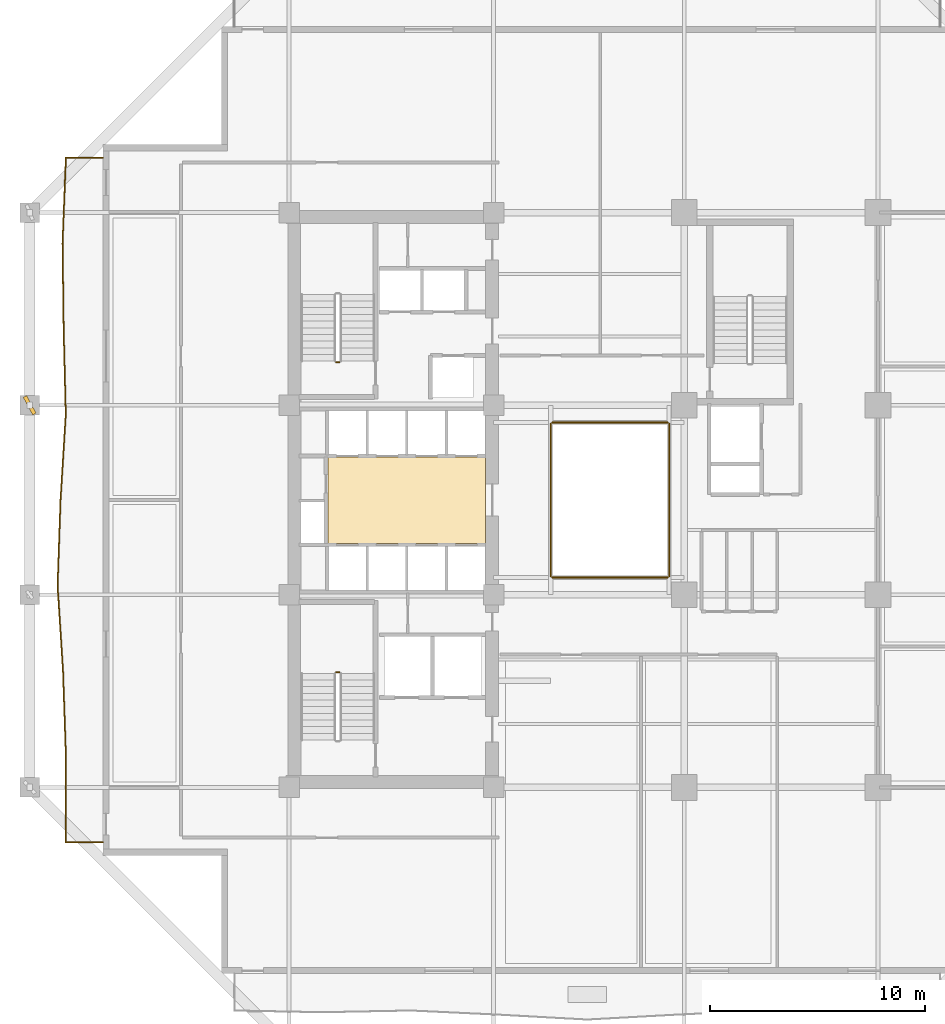
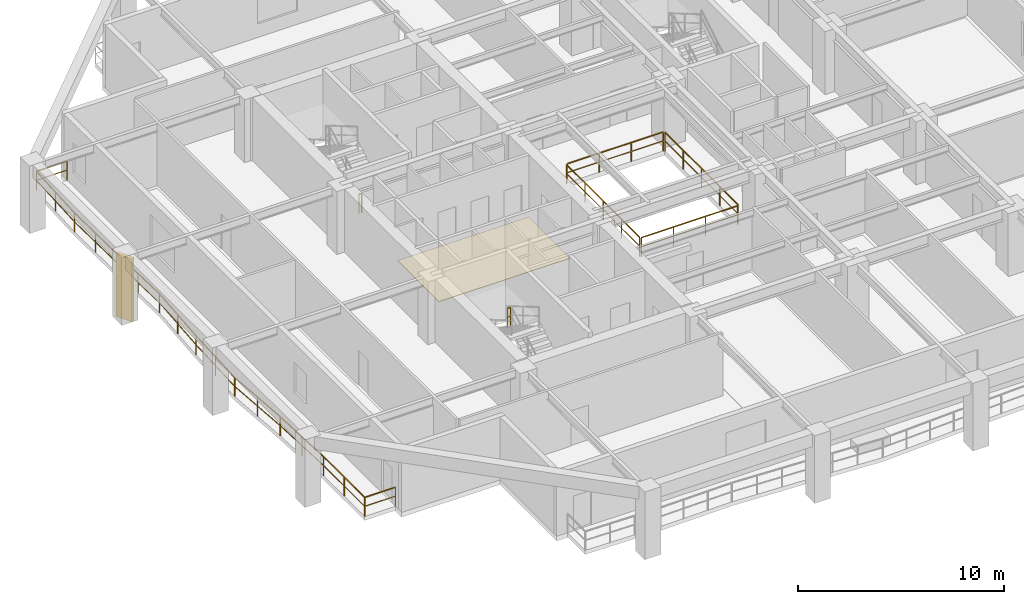
# One storey, part 8 of 12: 7 railings, 1 covering, 1 shading device.
"""IFC4 building model written with IfcOpenShell, lengths in metres."""

import ifcopenshell
import ifcopenshell.guid

model = None  # the IFC model being written
_history = None  # IfcOwnerHistory: only IFC2X3 demands one
_inside = {}  # id of a spatial element -> (the spatial element, [elements in it])
_under = {}  # id of a project, library or spatial element -> (it, [spatial elements below it])
_declared = {}  # id of a project -> (the project, [libraries it declares])
_typed = {}  # id of a type object -> (the type object, [elements of that type])
_made_of = {}  # id of a material, layer set ... -> (it, [elements and type objects made of it])


def new_model(schema):
    """Start an empty IFC model of exactly this schema.

    Asked for "IFC4X3", IfcOpenShell would pick the latest addendum, in which some entities
    have other attributes; the version numbers below select the first issue.
    IFC2X3 requires an IfcOwnerHistory on every rooted entity: one is made here for all.
    """
    global model, _history
    if schema == "IFC4X3":
        model = ifcopenshell.file(schema_version=(4, 3, 0, 0))
    else:
        model = ifcopenshell.file(schema=schema)
    _inside.clear()
    _under.clear()
    _declared.clear()
    _typed.clear()
    _made_of.clear()
    _history = None
    if model.schema == "IFC2X3":
        org = make("IfcOrganization", Name="unknown")
        user = make(
            "IfcPersonAndOrganization",
            ThePerson=make("IfcPerson", FamilyName="unknown"),
            TheOrganization=org,
        )
        app = make(
            "IfcApplication",
            ApplicationDeveloper=org,
            Version="unknown",
            ApplicationFullName="unknown",
            ApplicationIdentifier="unknown",
        )
        _history = make(
            "IfcOwnerHistory",
            OwningUser=user,
            OwningApplication=app,
            ChangeAction="ADDED",
            CreationDate=0,
        )
    return model


def make(cls, **values):
    """One entity of the class cls with the attributes given. An attribute that is None is left unset."""
    return model.create_entity(
        cls, **{name: value for name, value in values.items() if value is not None}
    )


def rooted(cls, **values):
    """An entity with a GlobalId (a new one), such as an element, a storey or a relation."""
    return make(cls, GlobalId=ifcopenshell.guid.new(), OwnerHistory=_history, **values)


def si_unit(unit_type, name, prefix=None):
    """IfcSIUnit, for example si_unit("LENGTHUNIT", "METRE", prefix="MILLI")."""
    return make("IfcSIUnit", UnitType=unit_type, Prefix=prefix, Name=name)


def assignment(units):
    """IfcUnitAssignment: the units of a project."""
    return None if units is None else make("IfcUnitAssignment", Units=units)


def point(xyz):
    """IfcCartesianPoint."""
    return None if xyz is None else make("IfcCartesianPoint", Coordinates=xyz)


def direction(xyz):
    """IfcDirection."""
    return None if xyz is None else make("IfcDirection", DirectionRatios=xyz)


def frame(location, z_axis=None, x_axis=None):
    """IfcAxis2Placement3D, a coordinate frame: its origin and axes. An axis left out is left unset."""
    return make(
        "IfcAxis2Placement3D",
        Location=point(location),
        Axis=direction(z_axis),
        RefDirection=direction(x_axis),
    )


def frame_2d(location, x_axis=None):
    """IfcAxis2Placement2D, a coordinate frame in the plane: its origin and x axis."""
    return make(
        "IfcAxis2Placement2D", Location=point(location), RefDirection=direction(x_axis)
    )


def origin():
    """The frame at (0, 0, 0) with its axes left unset."""
    return frame((0.0, 0.0, 0.0))


def origin_2d():
    """The frame at (0, 0) in the plane with its x axis left unset."""
    return frame_2d((0.0, 0.0))


def place(relative_to, where):
    """IfcLocalPlacement: puts the frame where relative to a parent placement (None: the world)."""
    return make(
        "IfcLocalPlacement", PlacementRelTo=relative_to, RelativePlacement=where
    )


def context(
    kind, dimensions, precision=None, world=None, true_north=None, identifier=None
):
    """IfcGeometricRepresentationContext, for example the 3D "Model" context."""
    return make(
        "IfcGeometricRepresentationContext",
        ContextIdentifier=identifier,
        ContextType=kind,
        CoordinateSpaceDimension=dimensions,
        Precision=precision,
        WorldCoordinateSystem=world,
        TrueNorth=true_north,
    )


def subcontext(parent, identifier, kind, view, scale=None):
    """IfcGeometricRepresentationSubContext, for example "Body" below "Model"."""
    return make(
        "IfcGeometricRepresentationSubContext",
        ContextIdentifier=identifier,
        ContextType=kind,
        ParentContext=parent,
        TargetScale=scale,
        TargetView=view,
    )


def project(units=None, contexts=None):
    """IfcProject with its units and contexts."""
    return rooted(
        "IfcProject",
        Name="project",
        RepresentationContexts=contexts,
        UnitsInContext=assignment(units),
    )


def spatial(cls, under=None, at=None, **own):
    """A site, building, storey or space (cls), placed at a placement, below another one or the project."""
    s = rooted(cls, ObjectPlacement=at, **own)
    if under is not None:
        _under.setdefault(under.id(), (under, []))[1].append(s)
    return s


def polyline(points):
    """IfcPolyline through the points."""
    return make("IfcPolyline", Points=[point(p) for p in points])


def profile(cls, at=None, kind="AREA", **sizes):
    """A parametric profile (cls). Its sizes go by their IFC names, for example OverallWidth=200.0."""
    return make(cls, ProfileType=kind, Position=at, **sizes)


def rectangle(**sizes):
    """IfcRectangleProfileDef."""
    return profile("IfcRectangleProfileDef", **sizes)


def outline(outer, holes=None, kind="AREA"):
    """IfcArbitraryClosedProfileDef: a profile drawn as a closed curve; with holes, ...WithVoids."""
    if holes is None:
        return make("IfcArbitraryClosedProfileDef", ProfileType=kind, OuterCurve=outer)
    return make(
        "IfcArbitraryProfileDefWithVoids",
        ProfileType=kind,
        OuterCurve=outer,
        InnerCurves=holes,
    )


def extrude(swept, where, along, depth):
    """IfcExtrudedAreaSolid: the profile swept, set in the frame where, extruded along a direction by depth."""
    return make(
        "IfcExtrudedAreaSolid",
        SweptArea=swept,
        Position=where,
        ExtrudedDirection=direction(along),
        Depth=depth,
    )


def shape(context_of_items, identifier, shape_type, items):
    """IfcShapeRepresentation: the items that make up one representation, for example the "Body"."""
    return make(
        "IfcShapeRepresentation",
        ContextOfItems=context_of_items,
        RepresentationIdentifier=identifier,
        RepresentationType=shape_type,
        Items=items,
    )


def material(Name=None, Category=None):
    """IfcMaterial."""
    return make("IfcMaterial", Name=Name, Category=Category)


def layer(
    of_material, thickness, ventilated=None, Name=None, Category=None, Priority=None
):
    """IfcMaterialLayer: one layer of a wall or slab, of a material (None: an air gap)."""
    return make(
        "IfcMaterialLayer",
        Material=of_material,
        LayerThickness=thickness,
        IsVentilated=ventilated,
        Name=Name,
        Category=Category,
        Priority=Priority,
    )


def layer_set(layers, Name=None):
    """IfcMaterialLayerSet."""
    return make("IfcMaterialLayerSet", MaterialLayers=layers, LayerSetName=Name)


def made_of(thing, what):
    """Note that an element or type object is made of a material, layer set ...; save() writes the relation."""
    if what is not None:
        _made_of.setdefault(what.id(), (what, []))[1].append(thing)
    return thing


def type_object(cls, material=None, **own):
    """A type object (cls), such as IfcWallType, which elements share."""
    return made_of(rooted(cls, **own), material)


def element(
    cls,
    number,
    at=None,
    inside=None,
    cuts=None,
    type_object=None,
    material=None,
    context=None,
    identifier="Body",
    shape_type=None,
    held_by="IfcProductDefinitionShape",
    body=None,
    shapes=None,
    **own,
):
    """One element of the class cls, such as IfcWall. Its Tag is "e" and its number.

    at: its placement. inside: the storey or other place that contains it. cuts: it is an
    opening in that element (IfcRelVoidsElement). A single representation is given by context,
    identifier, shape_type and body (its items); several are given by shapes. held_by: the class
    of the entity that holds the representations. save() writes the other relations.
    """
    e = rooted(cls, Tag="e%d" % number, ObjectPlacement=at, **own)
    if body is not None:
        shapes = [shape(context, identifier, shape_type, body)]
    if shapes is not None:
        e.Representation = make(held_by, Representations=shapes)
    if inside is not None:
        _inside.setdefault(inside.id(), (inside, []))[1].append(e)
    if cuts is not None:
        rooted(
            "IfcRelVoidsElement", RelatingBuildingElement=cuts, RelatedOpeningElement=e
        )
    if type_object is not None:
        _typed.setdefault(type_object.id(), (type_object, []))[1].append(e)
    return made_of(e, material)


def aggregate(whole, parts):
    """IfcRelAggregates: a whole, such as a stair, and the parts it consists of."""
    return rooted("IfcRelAggregates", RelatingObject=whole, RelatedObjects=parts)


def save(model, path):
    """Write the relations noted so far, then the file.

    IfcRelAggregates (storeys below a building ...), IfcRelContainedInSpatialStructure (elements
    in a storey), IfcRelDefinesByType, IfcRelAssociatesMaterial and IfcRelDeclares: one each for
    every whole, place, type object, material and project.
    """
    for whole, parts in _under.values():
        aggregate(whole, parts)
    for where, things in _inside.values():
        rooted(
            "IfcRelContainedInSpatialStructure",
            RelatedElements=things,
            RelatingStructure=where,
        )
    for kind, things in _typed.values():
        rooted("IfcRelDefinesByType", RelatedObjects=things, RelatingType=kind)
    for what, things in _made_of.values():
        rooted("IfcRelAssociatesMaterial", RelatedObjects=things, RelatingMaterial=what)
    for by, libraries in _declared.values():
        rooted("IfcRelDeclares", RelatingContext=by, RelatedDefinitions=libraries)
    model.write(path)


model = new_model("IFC4")

# Units and contexts
model_context = context("Model", 3, precision=1e-05, world=origin(), true_north=direction((0.0, 1.0)))
body_context = subcontext(model_context, "Body", "Model", "MODEL_VIEW")
ifc_project = project(units=[si_unit("LENGTHUNIT", "METRE"), si_unit("AREAUNIT", "SQUARE_METRE"), si_unit("VOLUMEUNIT", "CUBIC_METRE"), si_unit("PLANEANGLEUNIT", "RADIAN"), si_unit("MASSUNIT", "GRAM", prefix="KILO")], contexts=[model_context])

# Site, building, storey
site_placement = place(None, origin())
site = spatial("IfcSite", under=ifc_project, at=site_placement, CompositionType="ELEMENT")
building_placement = place(site_placement, origin())
building = spatial("IfcBuilding", under=site, at=building_placement, Name="Kundavana Baori Tower", CompositionType="ELEMENT")
storey_placement = place(building_placement, frame((0.0, 0.0, 38.0)))
storey = spatial("IfcBuildingStorey", under=building, at=storey_placement, Name="L08", CompositionType="ELEMENT", Elevation=38.0)

# Covering
ifc_material_1 = material(Name="Honed Kota Stone and Terrazzo Flooring", Category="masonry")
ifc_layer = layer(ifc_material_1, 0.030029296875, Name="COV-INT-FLR")
ifc_layer_set = layer_set([ifc_layer], Name="Honed Kota Stone and Terrazzo Flooring")
covering_type = type_object("IfcCoveringType", Name="COV-INT-FLR", PredefinedType="FLOORING", material=ifc_layer_set)
covering_placement = place(storey_placement, origin())
element("IfcCovering", 1, at=covering_placement, inside=storey, type_object=covering_type, Name="L08 Core Lift Lobby Kota Stone Flooring", PredefinedType="FLOORING", context=body_context, shape_type="SweptSolid", body=[
    extrude(outline(polyline([(17.25, 26.580078125), (24.580078125, 26.580078125), (24.580078125, 30.60009765625), (17.25, 30.60009765625), (17.25, 26.580078125)])), origin(), (0.0, 0.0, 1.0), 0.030029296875),
])

# Railings
ifc_material_2 = material(Name="Architectural Patinated Bronze Metalwork")
railing_type_1 = type_object("IfcRailingType", Name="RL-BAL-1150", PredefinedType="BALUSTRADE", material=ifc_material_2)
railing_1_placement = place(storey_placement, frame((6.800048828125, 12.699951171875, 0.0)))
element("IfcRailing", 2, at=railing_1_placement, inside=storey, type_object=railing_type_1, Name="L08 Loggia Balcony Balustrade W", PredefinedType="BALUSTRADE", context=body_context, shape_type="SweptSolid", body=[
    extrude(rectangle(XDim=0.048095703125, YDim=0.048095703125, at=origin_2d()), frame((0.0, 0.0, 1.1259765625), z_axis=(-1.0, 0.0, 0.0), x_axis=(0.0, -1.0, 0.0)), (0.0, 0.0, 1.0), 1.719970703125),
    extrude(rectangle(XDim=0.03125, YDim=0.03125, at=origin_2d()), frame((0.0, 0.0, 0.597900390625), z_axis=(-1.0, 0.0, 0.0), x_axis=(0.0, -1.0, 0.0)), (0.0, 0.0, 1.0), 1.719970703125),
    extrude(rectangle(XDim=0.048095703125, YDim=0.048095703125, at=origin_2d()), frame((-1.719970703125, 0.0, 1.1259765625), z_axis=(0.0, 1.0, 0.0), x_axis=(-1.0, 0.0, 0.0)), (0.0, 0.0, 1.0), 3.97509765625),
    extrude(rectangle(XDim=0.03125, YDim=0.03125, at=origin_2d()), frame((-1.719970703125, 0.0, 0.597900390625), z_axis=(0.0, 1.0, 0.0), x_axis=(-1.0, 0.0, 0.0)), (0.0, 0.0, 1.0), 3.97509765625),
    extrude(rectangle(XDim=0.048095703125, YDim=0.048095703125, at=origin_2d()), frame((-1.719970703125, 3.97509765625, 1.1259765625), z_axis=(-0.033701132827, 0.999431955486, 0.0), x_axis=(-0.999431955486, -0.033701132827, 0.0)), (0.0, 0.0, 1.0), 3.97705078125),
    extrude(rectangle(XDim=0.03125, YDim=0.03125, at=origin_2d()), frame((-1.719970703125, 3.97509765625, 0.597900390625), z_axis=(-0.033701132827, 0.999431955486, 0.0), x_axis=(-0.999431955486, -0.033701132827, 0.0)), (0.0, 0.0, 1.0), 3.97705078125),
    extrude(rectangle(XDim=0.048095703125, YDim=0.048095703125, at=origin_2d()), frame((-1.85400390625, 7.949951171875, 1.1259765625), z_axis=(-0.063255942289, 0.997997337554, 0.0), x_axis=(-0.997997337554, -0.063255942289, 0.0)), (0.0, 0.0, 1.0), 3.983154296875),
    extrude(rectangle(XDim=0.03125, YDim=0.03125, at=origin_2d()), frame((-1.85400390625, 7.949951171875, 0.597900390625), z_axis=(-0.063255942289, 0.997997337554, 0.0), x_axis=(-0.997997337554, -0.063255942289, 0.0)), (0.0, 0.0, 1.0), 3.983154296875),
    extrude(rectangle(XDim=0.048095703125, YDim=0.048095703125, at=origin_2d()), frame((-2.10595703125, 11.925048828125, 1.1259765625), z_axis=(0.034189556503, 0.999415366215, 0.0), x_axis=(-0.999415366215, 0.034189556503, 0.0)), (0.0, 0.0, 1.0), 3.9775390625),
    extrude(rectangle(XDim=0.03125, YDim=0.03125, at=origin_2d()), frame((-2.10595703125, 11.925048828125, 0.597900390625), z_axis=(0.034189556503, 0.999415366215, 0.0), x_axis=(-0.999415366215, 0.034189556503, 0.0)), (0.0, 0.0, 1.0), 3.9775390625),
    extrude(rectangle(XDim=0.048095703125, YDim=0.048095703125, at=origin_2d()), frame((-1.969970703125, 15.900146484375, 1.1259765625), z_axis=(0.061244681515, 0.99812278252, 0.0), x_axis=(-0.99812278252, 0.061244681515, 0.0)), (0.0, 0.0, 1.0), 3.982421875),
    extrude(rectangle(XDim=0.03125, YDim=0.03125, at=origin_2d()), frame((-1.969970703125, 15.900146484375, 0.597900390625), z_axis=(0.061244681515, 0.99812278252, 0.0), x_axis=(-0.99812278252, 0.061244681515, 0.0)), (0.0, 0.0, 1.0), 3.982421875),
    extrude(rectangle(XDim=0.048095703125, YDim=0.048095703125, at=origin_2d()), frame((-1.72607421875, 19.875, 1.1259765625), z_axis=(-0.025111842588, 0.999684647957, 0.0), x_axis=(-0.999684647957, -0.025111842588, 0.0)), (0.0, 0.0, 1.0), 3.976318359375),
    extrude(rectangle(XDim=0.03125, YDim=0.03125, at=origin_2d()), frame((-1.72607421875, 19.875, 0.597900390625), z_axis=(-0.025111842588, 0.999684647957, 0.0), x_axis=(-0.999684647957, -0.025111842588, 0.0)), (0.0, 0.0, 1.0), 3.976318359375),
    extrude(rectangle(XDim=0.048095703125, YDim=0.048095703125, at=origin_2d()), frame((-1.825927734375, 23.85009765625, 1.1259765625), z_axis=(-0.012590366153, 0.999920738199, 0.0), x_axis=(-0.999920738199, -0.012590366153, 0.0)), (0.0, 0.0, 1.0), 3.97509765625),
    extrude(rectangle(XDim=0.03125, YDim=0.03125, at=origin_2d()), frame((-1.825927734375, 23.85009765625, 0.597900390625), z_axis=(-0.012590366153, 0.999920738199, 0.0), x_axis=(-0.999920738199, -0.012590366153, 0.0)), (0.0, 0.0, 1.0), 3.97509765625),
    extrude(rectangle(XDim=0.048095703125, YDim=0.048095703125, at=origin_2d()), frame((-1.8759765625, 27.824951171875, 1.1259765625), z_axis=(0.039215603951, 0.999230772348, 0.0), x_axis=(-0.999230772348, 0.039215603951, 0.0)), (0.0, 0.0, 1.0), 3.978271484375),
    extrude(rectangle(XDim=0.03125, YDim=0.03125, at=origin_2d()), frame((-1.8759765625, 27.824951171875, 0.597900390625), z_axis=(0.039215603951, 0.999230772348, 0.0), x_axis=(-0.999230772348, 0.039215603951, 0.0)), (0.0, 0.0, 1.0), 3.978271484375),
    extrude(rectangle(XDim=0.048095703125, YDim=0.048095703125, at=origin_2d()), frame((-1.719970703125, 31.800048828125, 1.1259765625), z_axis=(1.0, 0.0, 0.0), x_axis=(0.0, 1.0, 0.0)), (0.0, 0.0, 1.0), 1.719970703125),
    extrude(rectangle(XDim=0.03125, YDim=0.03125, at=origin_2d()), frame((-1.719970703125, 31.800048828125, 0.597900390625), z_axis=(1.0, 0.0, 0.0), x_axis=(0.0, 1.0, 0.0)), (0.0, 0.0, 1.0), 1.719970703125),
    extrude(rectangle(XDim=0.0419921875, YDim=0.0419921875, at=origin_2d()), origin(), (0.0, 0.0, 1.0), 1.101806640625),
    extrude(rectangle(XDim=0.0419921875, YDim=0.0419921875, at=origin_2d()), frame((-1.719970703125, 0.0, 0.0)), (0.0, 0.0, 1.0), 1.101806640625),
    extrude(rectangle(XDim=0.0419921875, YDim=0.0419921875, at=origin_2d()), frame((-1.719970703125, 1.987548828125, 0.0)), (0.0, 0.0, 1.0), 1.101806640625),
    extrude(rectangle(XDim=0.0419921875, YDim=0.0419921875, at=origin_2d()), frame((-1.719970703125, 3.97509765625, 0.0)), (0.0, 0.0, 1.0), 1.101806640625),
    extrude(rectangle(XDim=0.0419921875, YDim=0.0419921875, at=origin_2d()), frame((-1.787109375, 5.96240234375, 0.0)), (0.0, 0.0, 1.0), 1.101806640625),
    extrude(rectangle(XDim=0.0419921875, YDim=0.0419921875, at=origin_2d()), frame((-1.85400390625, 7.949951171875, 0.0)), (0.0, 0.0, 1.0), 1.101806640625),
    extrude(rectangle(XDim=0.0419921875, YDim=0.0419921875, at=origin_2d()), frame((-1.97998046875, 9.9375, 0.0)), (0.0, 0.0, 1.0), 1.101806640625),
    extrude(rectangle(XDim=0.0419921875, YDim=0.0419921875, at=origin_2d()), frame((-2.10595703125, 11.925048828125, 0.0)), (0.0, 0.0, 1.0), 1.101806640625),
    extrude(rectangle(XDim=0.0419921875, YDim=0.0419921875, at=origin_2d()), frame((-2.0380859375, 13.91259765625, 0.0)), (0.0, 0.0, 1.0), 1.101806640625),
    extrude(rectangle(XDim=0.0419921875, YDim=0.0419921875, at=origin_2d()), frame((-1.969970703125, 15.900146484375, 0.0)), (0.0, 0.0, 1.0), 1.101806640625),
    extrude(rectangle(XDim=0.0419921875, YDim=0.0419921875, at=origin_2d()), frame((-1.84814453125, 17.8876953125, 0.0)), (0.0, 0.0, 1.0), 1.101806640625),
    extrude(rectangle(XDim=0.0419921875, YDim=0.0419921875, at=origin_2d()), frame((-1.72607421875, 19.875, 0.0)), (0.0, 0.0, 1.0), 1.101806640625),
    extrude(rectangle(XDim=0.0419921875, YDim=0.0419921875, at=origin_2d()), frame((-1.77587890625, 21.862548828125, 0.0)), (0.0, 0.0, 1.0), 1.101806640625),
    extrude(rectangle(XDim=0.0419921875, YDim=0.0419921875, at=origin_2d()), frame((-1.825927734375, 23.85009765625, 0.0)), (0.0, 0.0, 1.0), 1.101806640625),
    extrude(rectangle(XDim=0.0419921875, YDim=0.0419921875, at=origin_2d()), frame((-1.85107421875, 25.83740234375, 0.0)), (0.0, 0.0, 1.0), 1.101806640625),
    extrude(rectangle(XDim=0.0419921875, YDim=0.0419921875, at=origin_2d()), frame((-1.8759765625, 27.824951171875, 0.0)), (0.0, 0.0, 1.0), 1.101806640625),
    extrude(rectangle(XDim=0.0419921875, YDim=0.0419921875, at=origin_2d()), frame((-1.7978515625, 29.8125, 0.0)), (0.0, 0.0, 1.0), 1.101806640625),
    extrude(rectangle(XDim=0.0419921875, YDim=0.0419921875, at=origin_2d()), frame((-1.719970703125, 31.800048828125, 0.0)), (0.0, 0.0, 1.0), 1.101806640625),
    extrude(rectangle(XDim=0.0419921875, YDim=0.0419921875, at=origin_2d()), frame((0.0, 31.800048828125, 0.0)), (0.0, 0.0, 1.0), 1.101806640625),
])
ifc_material_3 = material(Name="Architectural Patinated Bronze Metalwork")
railing_type_2 = type_object("IfcRailingType", Name="RL-GRD-1150", PredefinedType="GUARDRAIL", material=ifc_material_3)
for number, where, name in (
    (3, (17.7900390625, 20.60009765625, 2.0), "L08 ST1 stair guard 2"),
    (4, (17.7900390625, 35.0, 0.0), "L08 ST2 stair guard 4"),
):
    element("IfcRailing", number, at=place(storey_placement, frame(where)), inside=storey, type_object=railing_type_2, Name=name, PredefinedType="GUARDRAIL", context=body_context, shape_type="SweptSolid", body=[
        extrude(rectangle(XDim=0.048095703125, YDim=0.048095703125, at=origin_2d()), frame((0.0, 0.0, 1.1259765625), z_axis=(-1.0, 0.0, 0.0), x_axis=(0.0, -1.0, 0.0)), (0.0, 0.0, 1.0), 0.16015625),
        extrude(rectangle(XDim=0.03125, YDim=0.03125, at=origin_2d()), frame((0.0, 0.0, 0.597900390625), z_axis=(-1.0, 0.0, 0.0), x_axis=(0.0, -1.0, 0.0)), (0.0, 0.0, 1.0), 0.16015625),
        extrude(rectangle(XDim=0.0419921875, YDim=0.0419921875, at=origin_2d()), origin(), (0.0, 0.0, 1.0), 1.101806640625),
        extrude(rectangle(XDim=0.0419921875, YDim=0.0419921875, at=origin_2d()), frame((-0.16015625, 0.0, 0.0)), (0.0, 0.0, 1.0), 1.101806640625),
    ])
railing_2_placement = place(storey_placement, frame((27.659912109375, 25.0, 0.0)))
element("IfcRailing", 5, at=railing_2_placement, inside=storey, type_object=railing_type_2, Name="L08 Atrium Void Perimeter Guardrail S", PredefinedType="GUARDRAIL", context=body_context, shape_type="SweptSolid", body=[
    extrude(rectangle(XDim=0.048095703125, YDim=0.048095703125, at=origin_2d()), frame((0.0, 0.0, 1.1259765625), z_axis=(1.0, 0.0, 0.0), x_axis=(0.0, 1.0, 0.0)), (0.0, 0.0, 1.0), 5.380126953125),
    extrude(rectangle(XDim=0.03125, YDim=0.03125, at=origin_2d()), frame((0.0, 0.0, 0.597900390625), z_axis=(1.0, 0.0, 0.0), x_axis=(0.0, 1.0, 0.0)), (0.0, 0.0, 1.0), 5.380126953125),
    extrude(rectangle(XDim=0.0419921875, YDim=0.0419921875, at=origin_2d()), origin(), (0.0, 0.0, 1.0), 1.101806640625),
    extrude(rectangle(XDim=0.0419921875, YDim=0.0419921875, at=origin_2d()), frame((1.79345703125, 0.0, 0.0)), (0.0, 0.0, 1.0), 1.101806640625),
    extrude(rectangle(XDim=0.0419921875, YDim=0.0419921875, at=origin_2d()), frame((3.586669921875, 0.0, 0.0)), (0.0, 0.0, 1.0), 1.101806640625),
    extrude(rectangle(XDim=0.0419921875, YDim=0.0419921875, at=origin_2d()), frame((5.380126953125, 0.0, 0.0)), (0.0, 0.0, 1.0), 1.101806640625),
])
railing_3_placement = place(storey_placement, frame((33.10009765625, 25.06005859375, 0.0)))
element("IfcRailing", 6, at=railing_3_placement, inside=storey, type_object=railing_type_2, Name="L08 Atrium Void Perimeter Guardrail E", PredefinedType="GUARDRAIL", context=body_context, shape_type="SweptSolid", body=[
    extrude(rectangle(XDim=0.048095703125, YDim=0.048095703125, at=origin_2d()), frame((0.0, 0.0, 1.1259765625), z_axis=(0.0, 1.0, 0.0), x_axis=(-1.0, 0.0, 0.0)), (0.0, 0.0, 1.0), 7.079833984375),
    extrude(rectangle(XDim=0.03125, YDim=0.03125, at=origin_2d()), frame((0.0, 0.0, 0.597900390625), z_axis=(0.0, 1.0, 0.0), x_axis=(-1.0, 0.0, 0.0)), (0.0, 0.0, 1.0), 7.079833984375),
    extrude(rectangle(XDim=0.0419921875, YDim=0.0419921875, at=origin_2d()), origin(), (0.0, 0.0, 1.0), 1.101806640625),
    extrude(rectangle(XDim=0.0419921875, YDim=0.0419921875, at=origin_2d()), frame((0.0, 1.77001953125, 0.0)), (0.0, 0.0, 1.0), 1.101806640625),
    extrude(rectangle(XDim=0.0419921875, YDim=0.0419921875, at=origin_2d()), frame((0.0, 3.5400390625, 0.0)), (0.0, 0.0, 1.0), 1.101806640625),
    extrude(rectangle(XDim=0.0419921875, YDim=0.0419921875, at=origin_2d()), frame((0.0, 5.309814453125, 0.0)), (0.0, 0.0, 1.0), 1.101806640625),
    extrude(rectangle(XDim=0.0419921875, YDim=0.0419921875, at=origin_2d()), frame((0.0, 7.079833984375, 0.0)), (0.0, 0.0, 1.0), 1.101806640625),
])
railing_4_placement = place(storey_placement, frame((33.0400390625, 32.199951171875, 0.0)))
element("IfcRailing", 7, at=railing_4_placement, inside=storey, type_object=railing_type_2, Name="L08 Atrium Void Perimeter Guardrail N", PredefinedType="GUARDRAIL", context=body_context, shape_type="SweptSolid", body=[
    extrude(rectangle(XDim=0.048095703125, YDim=0.048095703125, at=origin_2d()), frame((0.0, 0.0, 1.1259765625), z_axis=(-1.0, 0.0, 0.0), x_axis=(0.0, -1.0, 0.0)), (0.0, 0.0, 1.0), 5.380126953125),
    extrude(rectangle(XDim=0.03125, YDim=0.03125, at=origin_2d()), frame((0.0, 0.0, 0.597900390625), z_axis=(-1.0, 0.0, 0.0), x_axis=(0.0, -1.0, 0.0)), (0.0, 0.0, 1.0), 5.380126953125),
    extrude(rectangle(XDim=0.0419921875, YDim=0.0419921875, at=origin_2d()), origin(), (0.0, 0.0, 1.0), 1.101806640625),
    extrude(rectangle(XDim=0.0419921875, YDim=0.0419921875, at=origin_2d()), frame((-1.79345703125, 0.0, 0.0)), (0.0, 0.0, 1.0), 1.101806640625),
    extrude(rectangle(XDim=0.0419921875, YDim=0.0419921875, at=origin_2d()), frame((-3.586669921875, 0.0, 0.0)), (0.0, 0.0, 1.0), 1.101806640625),
    extrude(rectangle(XDim=0.0419921875, YDim=0.0419921875, at=origin_2d()), frame((-5.380126953125, 0.0, 0.0)), (0.0, 0.0, 1.0), 1.101806640625),
])
railing_5_placement = place(storey_placement, frame((27.60009765625, 32.139892578125, 0.0)))
element("IfcRailing", 8, at=railing_5_placement, inside=storey, type_object=railing_type_2, Name="L08 Atrium Void Perimeter Guardrail W", PredefinedType="GUARDRAIL", context=body_context, shape_type="SweptSolid", body=[
    extrude(rectangle(XDim=0.048095703125, YDim=0.048095703125, at=origin_2d()), frame((0.0, 0.0, 1.1259765625), z_axis=(0.0, -1.0, 0.0), x_axis=(1.0, 0.0, 0.0)), (0.0, 0.0, 1.0), 7.079833984375),
    extrude(rectangle(XDim=0.03125, YDim=0.03125, at=origin_2d()), frame((0.0, 0.0, 0.597900390625), z_axis=(0.0, -1.0, 0.0), x_axis=(1.0, 0.0, 0.0)), (0.0, 0.0, 1.0), 7.079833984375),
    extrude(rectangle(XDim=0.0419921875, YDim=0.0419921875, at=origin_2d()), origin(), (0.0, 0.0, 1.0), 1.101806640625),
    extrude(rectangle(XDim=0.0419921875, YDim=0.0419921875, at=origin_2d()), frame((0.0, -1.77001953125, 0.0)), (0.0, 0.0, 1.0), 1.101806640625),
    extrude(rectangle(XDim=0.0419921875, YDim=0.0419921875, at=origin_2d()), frame((0.0, -3.5400390625, 0.0)), (0.0, 0.0, 1.0), 1.101806640625),
    extrude(rectangle(XDim=0.0419921875, YDim=0.0419921875, at=origin_2d()), frame((0.0, -5.309814453125, 0.0)), (0.0, 0.0, 1.0), 1.101806640625),
    extrude(rectangle(XDim=0.0419921875, YDim=0.0419921875, at=origin_2d()), frame((0.0, -7.079833984375, 0.0)), (0.0, 0.0, 1.0), 1.101806640625),
])

# Shading device
ifc_material_4 = material(Name="Red-Buff Dholpur Sandstone Cladding on Concrete C40/50", Category="masonry")
shading_device_type = type_object("IfcShadingDeviceType", Name="SHD-FIN-920", PredefinedType="JALOUSIE", material=ifc_material_4)
shading_device_placement = place(storey_placement, frame((3.39990234375, 33.0, 0.0), z_axis=(0.0, 0.0, 1.0), x_axis=(0.880146162961, 0.474702782617, 0.0)))
element("IfcShadingDevice", 9, at=shading_device_placement, inside=storey, type_object=shading_device_type, Name="L08 Sweeping Dholpur Sandstone Facade Fin 7", PredefinedType="JALOUSIE", context=body_context, shape_type="SweptSolid", body=[
    extrude(rectangle(XDim=0.179931640625, YDim=0.919921875, at=origin_2d()), origin(), (0.0, 0.0, 1.0), 3.719970703125),
])

save(model, "model.ifc")
